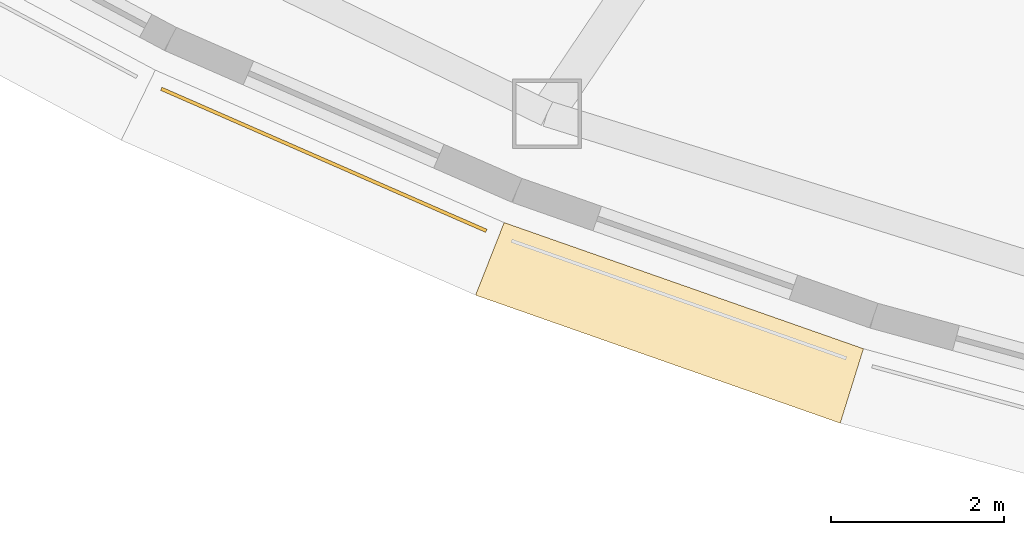
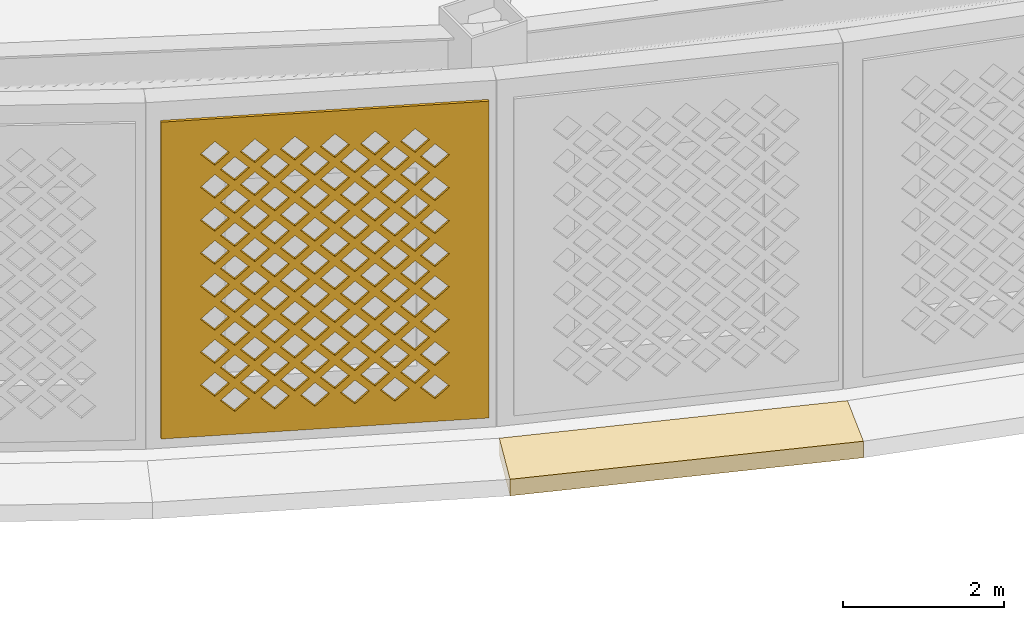
# One storey, part 46 of 69: 2 coverings.
"""IFC4 building model written with IfcOpenShell, lengths in metres."""

from ifc_helpers import new_model, si_unit, direction, frame, origin, place, context, subcontext, project, spatial, polyline, outline, extrude, material, layer, layer_set, type_object, element, save


model = new_model("IFC4")

# Units and contexts
model_context = context("Model", 3, precision=1e-05, world=origin(), true_north=direction((0.0, 1.0)))
body_context = subcontext(model_context, "Body", "Model", "MODEL_VIEW")
ifc_project = project(units=[si_unit("LENGTHUNIT", "METRE"), si_unit("AREAUNIT", "SQUARE_METRE"), si_unit("VOLUMEUNIT", "CUBIC_METRE"), si_unit("PLANEANGLEUNIT", "RADIAN"), si_unit("MASSUNIT", "GRAM", prefix="KILO")], contexts=[model_context])

# Site, building, storey
site_placement = place(None, origin())
site = spatial("IfcSite", under=ifc_project, at=site_placement, CompositionType="ELEMENT")
building_placement = place(site_placement, origin())
building = spatial("IfcBuilding", under=site, at=building_placement, Name="Noorbagh Ring Tower", CompositionType="ELEMENT")
storey_placement = place(building_placement, frame((0.0, 0.0, 19.5)))
storey = spatial("IfcBuildingStorey", under=building, at=storey_placement, Name="L03", CompositionType="ELEMENT", Elevation=19.5)

# Coverings
ifc_material_1 = material(Name="Red sandstone eave", Category="masonry")
covering_type_1 = type_object("IfcCoveringType", Name="STY-CHHAJJA", PredefinedType="USERDEFINED", material=ifc_material_1)
covering_1_placement = place(storey_placement, frame((0.0, 0.0, -0.25)))
element("IfcCovering", 1, at=covering_1_placement, inside=storey, type_object=covering_type_1, Name="Chhajja eave", ObjectType="CHHAJJA", PredefinedType="USERDEFINED", context=body_context, shape_type="SweptSolid", body=[
    extrude(outline(polyline([(-23.647216796875, -35.624755859375), (-19.49853515625, -37.081298828125), (-19.7666015625, -37.941162109375), (-23.976806640625, -36.462890625), (-23.647216796875, -35.624755859375)])), origin(), (0.0, 0.0, 1.0), 0.25),
])
ifc_material_2 = material(Name="Red sandstone jali", Category="masonry")
ifc_layer = layer(ifc_material_2, 0.0400390625)
ifc_layer_set = layer_set([ifc_layer], Name="Red sandstone jali")
covering_type_2 = type_object("IfcCoveringType", Name="STY-JALI", PredefinedType="USERDEFINED", material=ifc_layer_set)
covering_2_placement = place(storey_placement, frame((-27.614501953125, -34.09814453125, 0.449951171875), z_axis=(-0.400468668207, -0.916310452731, 0.0), x_axis=(0.916310452731, -0.400468668207, 0.0)))
element("IfcCovering", 2, at=covering_2_placement, inside=storey, type_object=covering_type_2, Name="Jali screen", ObjectType="SCREEN", PredefinedType="USERDEFINED", context=body_context, shape_type="SweptSolid", body=[
    extrude(outline(polyline([(0.0, 0.0), (4.0966796875, 0.0), (4.0966796875, 4.800048828125), (0.0, 4.800048828125), (0.0, 0.0)]), holes=[polyline([(0.743408203125, 0.52490234375), (0.92333984375, 0.344970703125), (1.103515625, 0.52490234375), (0.92333984375, 0.705078125), (0.743408203125, 0.52490234375)]), polyline([(1.243408203125, 0.52490234375), (1.42333984375, 0.344970703125), (1.603515625, 0.52490234375), (1.42333984375, 0.705078125), (1.243408203125, 0.52490234375)]), polyline([(1.743408203125, 0.52490234375), (1.92333984375, 0.344970703125), (2.103515625, 0.52490234375), (1.92333984375, 0.705078125), (1.743408203125, 0.52490234375)]), polyline([(2.243408203125, 0.52490234375), (2.42333984375, 0.344970703125), (2.603515625, 0.52490234375), (2.42333984375, 0.705078125), (2.243408203125, 0.52490234375)]), polyline([(2.743408203125, 0.52490234375), (2.92333984375, 0.344970703125), (3.103515625, 0.52490234375), (2.92333984375, 0.705078125), (2.743408203125, 0.52490234375)]), polyline([(3.243408203125, 0.52490234375), (3.42333984375, 0.344970703125), (3.603515625, 0.52490234375), (3.42333984375, 0.705078125), (3.243408203125, 0.52490234375)]), polyline([(0.493408203125, 0.77490234375), (0.67333984375, 0.594970703125), (0.853515625, 0.77490234375), (0.67333984375, 0.955078125), (0.493408203125, 0.77490234375)]), polyline([(0.993408203125, 0.77490234375), (1.17333984375, 0.594970703125), (1.353515625, 0.77490234375), (1.17333984375, 0.955078125), (0.993408203125, 0.77490234375)]), polyline([(1.493408203125, 0.77490234375), (1.67333984375, 0.594970703125), (1.853515625, 0.77490234375), (1.67333984375, 0.955078125), (1.493408203125, 0.77490234375)]), polyline([(1.993408203125, 0.77490234375), (2.17333984375, 0.594970703125), (2.353515625, 0.77490234375), (2.17333984375, 0.955078125), (1.993408203125, 0.77490234375)]), polyline([(2.493408203125, 0.77490234375), (2.67333984375, 0.594970703125), (2.853515625, 0.77490234375), (2.67333984375, 0.955078125), (2.493408203125, 0.77490234375)]), polyline([(2.993408203125, 0.77490234375), (3.17333984375, 0.594970703125), (3.353515625, 0.77490234375), (3.17333984375, 0.955078125), (2.993408203125, 0.77490234375)]), polyline([(0.743408203125, 1.02490234375), (0.92333984375, 0.844970703125), (1.103515625, 1.02490234375), (0.92333984375, 1.205078125), (0.743408203125, 1.02490234375)]), polyline([(1.243408203125, 1.02490234375), (1.42333984375, 0.844970703125), (1.603515625, 1.02490234375), (1.42333984375, 1.205078125), (1.243408203125, 1.02490234375)]), polyline([(1.743408203125, 1.02490234375), (1.92333984375, 0.844970703125), (2.103515625, 1.02490234375), (1.92333984375, 1.205078125), (1.743408203125, 1.02490234375)]), polyline([(2.243408203125, 1.02490234375), (2.42333984375, 0.844970703125), (2.603515625, 1.02490234375), (2.42333984375, 1.205078125), (2.243408203125, 1.02490234375)]), polyline([(2.743408203125, 1.02490234375), (2.92333984375, 0.844970703125), (3.103515625, 1.02490234375), (2.92333984375, 1.205078125), (2.743408203125, 1.02490234375)]), polyline([(3.243408203125, 1.02490234375), (3.42333984375, 0.844970703125), (3.603515625, 1.02490234375), (3.42333984375, 1.205078125), (3.243408203125, 1.02490234375)]), polyline([(0.493408203125, 1.27490234375), (0.67333984375, 1.094970703125), (0.853515625, 1.27490234375), (0.67333984375, 1.455078125), (0.493408203125, 1.27490234375)]), polyline([(0.993408203125, 1.27490234375), (1.17333984375, 1.094970703125), (1.353515625, 1.27490234375), (1.17333984375, 1.455078125), (0.993408203125, 1.27490234375)]), polyline([(1.493408203125, 1.27490234375), (1.67333984375, 1.094970703125), (1.853515625, 1.27490234375), (1.67333984375, 1.455078125), (1.493408203125, 1.27490234375)]), polyline([(1.993408203125, 1.27490234375), (2.17333984375, 1.094970703125), (2.353515625, 1.27490234375), (2.17333984375, 1.455078125), (1.993408203125, 1.27490234375)]), polyline([(2.493408203125, 1.27490234375), (2.67333984375, 1.094970703125), (2.853515625, 1.27490234375), (2.67333984375, 1.455078125), (2.493408203125, 1.27490234375)]), polyline([(2.993408203125, 1.27490234375), (3.17333984375, 1.094970703125), (3.353515625, 1.27490234375), (3.17333984375, 1.455078125), (2.993408203125, 1.27490234375)]), polyline([(0.743408203125, 1.52490234375), (0.92333984375, 1.344970703125), (1.103515625, 1.52490234375), (0.92333984375, 1.705078125), (0.743408203125, 1.52490234375)]), polyline([(1.243408203125, 1.52490234375), (1.42333984375, 1.344970703125), (1.603515625, 1.52490234375), (1.42333984375, 1.705078125), (1.243408203125, 1.52490234375)]), polyline([(1.743408203125, 1.52490234375), (1.92333984375, 1.344970703125), (2.103515625, 1.52490234375), (1.92333984375, 1.705078125), (1.743408203125, 1.52490234375)]), polyline([(2.243408203125, 1.52490234375), (2.42333984375, 1.344970703125), (2.603515625, 1.52490234375), (2.42333984375, 1.705078125), (2.243408203125, 1.52490234375)]), polyline([(2.743408203125, 1.52490234375), (2.92333984375, 1.344970703125), (3.103515625, 1.52490234375), (2.92333984375, 1.705078125), (2.743408203125, 1.52490234375)]), polyline([(3.243408203125, 1.52490234375), (3.42333984375, 1.344970703125), (3.603515625, 1.52490234375), (3.42333984375, 1.705078125), (3.243408203125, 1.52490234375)]), polyline([(0.493408203125, 1.77490234375), (0.67333984375, 1.594970703125), (0.853515625, 1.77490234375), (0.67333984375, 1.955078125), (0.493408203125, 1.77490234375)]), polyline([(0.993408203125, 1.77490234375), (1.17333984375, 1.594970703125), (1.353515625, 1.77490234375), (1.17333984375, 1.955078125), (0.993408203125, 1.77490234375)]), polyline([(1.493408203125, 1.77490234375), (1.67333984375, 1.594970703125), (1.853515625, 1.77490234375), (1.67333984375, 1.955078125), (1.493408203125, 1.77490234375)]), polyline([(1.993408203125, 1.77490234375), (2.17333984375, 1.594970703125), (2.353515625, 1.77490234375), (2.17333984375, 1.955078125), (1.993408203125, 1.77490234375)]), polyline([(2.493408203125, 1.77490234375), (2.67333984375, 1.594970703125), (2.853515625, 1.77490234375), (2.67333984375, 1.955078125), (2.493408203125, 1.77490234375)]), polyline([(2.993408203125, 1.77490234375), (3.17333984375, 1.594970703125), (3.353515625, 1.77490234375), (3.17333984375, 1.955078125), (2.993408203125, 1.77490234375)]), polyline([(0.743408203125, 2.02490234375), (0.92333984375, 1.844970703125), (1.103515625, 2.02490234375), (0.92333984375, 2.205078125), (0.743408203125, 2.02490234375)]), polyline([(1.243408203125, 2.02490234375), (1.42333984375, 1.844970703125), (1.603515625, 2.02490234375), (1.42333984375, 2.205078125), (1.243408203125, 2.02490234375)]), polyline([(1.743408203125, 2.02490234375), (1.92333984375, 1.844970703125), (2.103515625, 2.02490234375), (1.92333984375, 2.205078125), (1.743408203125, 2.02490234375)]), polyline([(2.243408203125, 2.02490234375), (2.42333984375, 1.844970703125), (2.603515625, 2.02490234375), (2.42333984375, 2.205078125), (2.243408203125, 2.02490234375)]), polyline([(2.743408203125, 2.02490234375), (2.92333984375, 1.844970703125), (3.103515625, 2.02490234375), (2.92333984375, 2.205078125), (2.743408203125, 2.02490234375)]), polyline([(3.243408203125, 2.02490234375), (3.42333984375, 1.844970703125), (3.603515625, 2.02490234375), (3.42333984375, 2.205078125), (3.243408203125, 2.02490234375)]), polyline([(0.493408203125, 2.27490234375), (0.67333984375, 2.094970703125), (0.853515625, 2.27490234375), (0.67333984375, 2.455078125), (0.493408203125, 2.27490234375)]), polyline([(0.993408203125, 2.27490234375), (1.17333984375, 2.094970703125), (1.353515625, 2.27490234375), (1.17333984375, 2.455078125), (0.993408203125, 2.27490234375)]), polyline([(1.493408203125, 2.27490234375), (1.67333984375, 2.094970703125), (1.853515625, 2.27490234375), (1.67333984375, 2.455078125), (1.493408203125, 2.27490234375)]), polyline([(1.993408203125, 2.27490234375), (2.17333984375, 2.094970703125), (2.353515625, 2.27490234375), (2.17333984375, 2.455078125), (1.993408203125, 2.27490234375)]), polyline([(2.493408203125, 2.27490234375), (2.67333984375, 2.094970703125), (2.853515625, 2.27490234375), (2.67333984375, 2.455078125), (2.493408203125, 2.27490234375)]), polyline([(2.993408203125, 2.27490234375), (3.17333984375, 2.094970703125), (3.353515625, 2.27490234375), (3.17333984375, 2.455078125), (2.993408203125, 2.27490234375)]), polyline([(0.743408203125, 2.52490234375), (0.92333984375, 2.344970703125), (1.103515625, 2.52490234375), (0.92333984375, 2.705078125), (0.743408203125, 2.52490234375)]), polyline([(1.243408203125, 2.52490234375), (1.42333984375, 2.344970703125), (1.603515625, 2.52490234375), (1.42333984375, 2.705078125), (1.243408203125, 2.52490234375)]), polyline([(1.743408203125, 2.52490234375), (1.92333984375, 2.344970703125), (2.103515625, 2.52490234375), (1.92333984375, 2.705078125), (1.743408203125, 2.52490234375)]), polyline([(2.243408203125, 2.52490234375), (2.42333984375, 2.344970703125), (2.603515625, 2.52490234375), (2.42333984375, 2.705078125), (2.243408203125, 2.52490234375)]), polyline([(2.743408203125, 2.52490234375), (2.92333984375, 2.344970703125), (3.103515625, 2.52490234375), (2.92333984375, 2.705078125), (2.743408203125, 2.52490234375)]), polyline([(3.243408203125, 2.52490234375), (3.42333984375, 2.344970703125), (3.603515625, 2.52490234375), (3.42333984375, 2.705078125), (3.243408203125, 2.52490234375)]), polyline([(0.493408203125, 2.77490234375), (0.67333984375, 2.594970703125), (0.853515625, 2.77490234375), (0.67333984375, 2.955078125), (0.493408203125, 2.77490234375)]), polyline([(0.993408203125, 2.77490234375), (1.17333984375, 2.594970703125), (1.353515625, 2.77490234375), (1.17333984375, 2.955078125), (0.993408203125, 2.77490234375)]), polyline([(1.493408203125, 2.77490234375), (1.67333984375, 2.594970703125), (1.853515625, 2.77490234375), (1.67333984375, 2.955078125), (1.493408203125, 2.77490234375)]), polyline([(1.993408203125, 2.77490234375), (2.17333984375, 2.594970703125), (2.353515625, 2.77490234375), (2.17333984375, 2.955078125), (1.993408203125, 2.77490234375)]), polyline([(2.493408203125, 2.77490234375), (2.67333984375, 2.594970703125), (2.853515625, 2.77490234375), (2.67333984375, 2.955078125), (2.493408203125, 2.77490234375)]), polyline([(2.993408203125, 2.77490234375), (3.17333984375, 2.594970703125), (3.353515625, 2.77490234375), (3.17333984375, 2.955078125), (2.993408203125, 2.77490234375)]), polyline([(0.743408203125, 3.02490234375), (0.92333984375, 2.844970703125), (1.103515625, 3.02490234375), (0.92333984375, 3.205078125), (0.743408203125, 3.02490234375)]), polyline([(1.243408203125, 3.02490234375), (1.42333984375, 2.844970703125), (1.603515625, 3.02490234375), (1.42333984375, 3.205078125), (1.243408203125, 3.02490234375)]), polyline([(1.743408203125, 3.02490234375), (1.92333984375, 2.844970703125), (2.103515625, 3.02490234375), (1.92333984375, 3.205078125), (1.743408203125, 3.02490234375)]), polyline([(2.243408203125, 3.02490234375), (2.42333984375, 2.844970703125), (2.603515625, 3.02490234375), (2.42333984375, 3.205078125), (2.243408203125, 3.02490234375)]), polyline([(2.743408203125, 3.02490234375), (2.92333984375, 2.844970703125), (3.103515625, 3.02490234375), (2.92333984375, 3.205078125), (2.743408203125, 3.02490234375)]), polyline([(3.243408203125, 3.02490234375), (3.42333984375, 2.844970703125), (3.603515625, 3.02490234375), (3.42333984375, 3.205078125), (3.243408203125, 3.02490234375)]), polyline([(0.493408203125, 3.27490234375), (0.67333984375, 3.094970703125), (0.853515625, 3.27490234375), (0.67333984375, 3.455078125), (0.493408203125, 3.27490234375)]), polyline([(0.993408203125, 3.27490234375), (1.17333984375, 3.094970703125), (1.353515625, 3.27490234375), (1.17333984375, 3.455078125), (0.993408203125, 3.27490234375)]), polyline([(1.493408203125, 3.27490234375), (1.67333984375, 3.094970703125), (1.853515625, 3.27490234375), (1.67333984375, 3.455078125), (1.493408203125, 3.27490234375)]), polyline([(1.993408203125, 3.27490234375), (2.17333984375, 3.094970703125), (2.353515625, 3.27490234375), (2.17333984375, 3.455078125), (1.993408203125, 3.27490234375)]), polyline([(2.493408203125, 3.27490234375), (2.67333984375, 3.094970703125), (2.853515625, 3.27490234375), (2.67333984375, 3.455078125), (2.493408203125, 3.27490234375)]), polyline([(2.993408203125, 3.27490234375), (3.17333984375, 3.094970703125), (3.353515625, 3.27490234375), (3.17333984375, 3.455078125), (2.993408203125, 3.27490234375)]), polyline([(0.743408203125, 3.52490234375), (0.92333984375, 3.344970703125), (1.103515625, 3.52490234375), (0.92333984375, 3.705078125), (0.743408203125, 3.52490234375)]), polyline([(1.243408203125, 3.52490234375), (1.42333984375, 3.344970703125), (1.603515625, 3.52490234375), (1.42333984375, 3.705078125), (1.243408203125, 3.52490234375)]), polyline([(1.743408203125, 3.52490234375), (1.92333984375, 3.344970703125), (2.103515625, 3.52490234375), (1.92333984375, 3.705078125), (1.743408203125, 3.52490234375)]), polyline([(2.243408203125, 3.52490234375), (2.42333984375, 3.344970703125), (2.603515625, 3.52490234375), (2.42333984375, 3.705078125), (2.243408203125, 3.52490234375)]), polyline([(2.743408203125, 3.52490234375), (2.92333984375, 3.344970703125), (3.103515625, 3.52490234375), (2.92333984375, 3.705078125), (2.743408203125, 3.52490234375)]), polyline([(3.243408203125, 3.52490234375), (3.42333984375, 3.344970703125), (3.603515625, 3.52490234375), (3.42333984375, 3.705078125), (3.243408203125, 3.52490234375)]), polyline([(0.493408203125, 3.77490234375), (0.67333984375, 3.594970703125), (0.853515625, 3.77490234375), (0.67333984375, 3.955078125), (0.493408203125, 3.77490234375)]), polyline([(0.993408203125, 3.77490234375), (1.17333984375, 3.594970703125), (1.353515625, 3.77490234375), (1.17333984375, 3.955078125), (0.993408203125, 3.77490234375)]), polyline([(1.493408203125, 3.77490234375), (1.67333984375, 3.594970703125), (1.853515625, 3.77490234375), (1.67333984375, 3.955078125), (1.493408203125, 3.77490234375)]), polyline([(1.993408203125, 3.77490234375), (2.17333984375, 3.594970703125), (2.353515625, 3.77490234375), (2.17333984375, 3.955078125), (1.993408203125, 3.77490234375)]), polyline([(2.493408203125, 3.77490234375), (2.67333984375, 3.594970703125), (2.853515625, 3.77490234375), (2.67333984375, 3.955078125), (2.493408203125, 3.77490234375)]), polyline([(2.993408203125, 3.77490234375), (3.17333984375, 3.594970703125), (3.353515625, 3.77490234375), (3.17333984375, 3.955078125), (2.993408203125, 3.77490234375)]), polyline([(0.743408203125, 4.02490234375), (0.92333984375, 3.844970703125), (1.103515625, 4.02490234375), (0.92333984375, 4.205078125), (0.743408203125, 4.02490234375)]), polyline([(1.243408203125, 4.02490234375), (1.42333984375, 3.844970703125), (1.603515625, 4.02490234375), (1.42333984375, 4.205078125), (1.243408203125, 4.02490234375)]), polyline([(1.743408203125, 4.02490234375), (1.92333984375, 3.844970703125), (2.103515625, 4.02490234375), (1.92333984375, 4.205078125), (1.743408203125, 4.02490234375)]), polyline([(2.243408203125, 4.02490234375), (2.42333984375, 3.844970703125), (2.603515625, 4.02490234375), (2.42333984375, 4.205078125), (2.243408203125, 4.02490234375)]), polyline([(2.743408203125, 4.02490234375), (2.92333984375, 3.844970703125), (3.103515625, 4.02490234375), (2.92333984375, 4.205078125), (2.743408203125, 4.02490234375)]), polyline([(3.243408203125, 4.02490234375), (3.42333984375, 3.844970703125), (3.603515625, 4.02490234375), (3.42333984375, 4.205078125), (3.243408203125, 4.02490234375)]), polyline([(0.493408203125, 4.27490234375), (0.67333984375, 4.094970703125), (0.853515625, 4.27490234375), (0.67333984375, 4.455078125), (0.493408203125, 4.27490234375)]), polyline([(0.993408203125, 4.27490234375), (1.17333984375, 4.094970703125), (1.353515625, 4.27490234375), (1.17333984375, 4.455078125), (0.993408203125, 4.27490234375)]), polyline([(1.493408203125, 4.27490234375), (1.67333984375, 4.094970703125), (1.853515625, 4.27490234375), (1.67333984375, 4.455078125), (1.493408203125, 4.27490234375)]), polyline([(1.993408203125, 4.27490234375), (2.17333984375, 4.094970703125), (2.353515625, 4.27490234375), (2.17333984375, 4.455078125), (1.993408203125, 4.27490234375)]), polyline([(2.493408203125, 4.27490234375), (2.67333984375, 4.094970703125), (2.853515625, 4.27490234375), (2.67333984375, 4.455078125), (2.493408203125, 4.27490234375)]), polyline([(2.993408203125, 4.27490234375), (3.17333984375, 4.094970703125), (3.353515625, 4.27490234375), (3.17333984375, 4.455078125), (2.993408203125, 4.27490234375)])]), origin(), (0.0, 0.0, -1.0), 0.0400390625),
])

save(model, "model.ifc")
